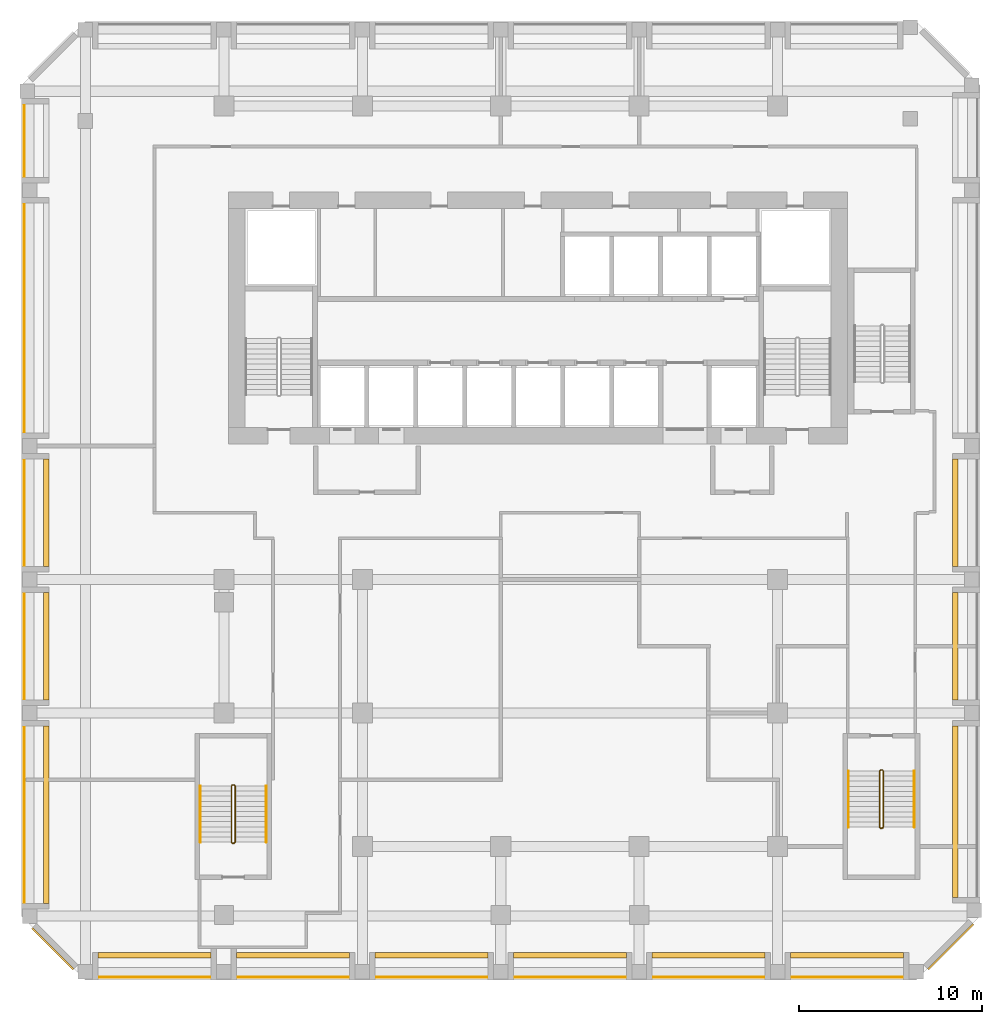
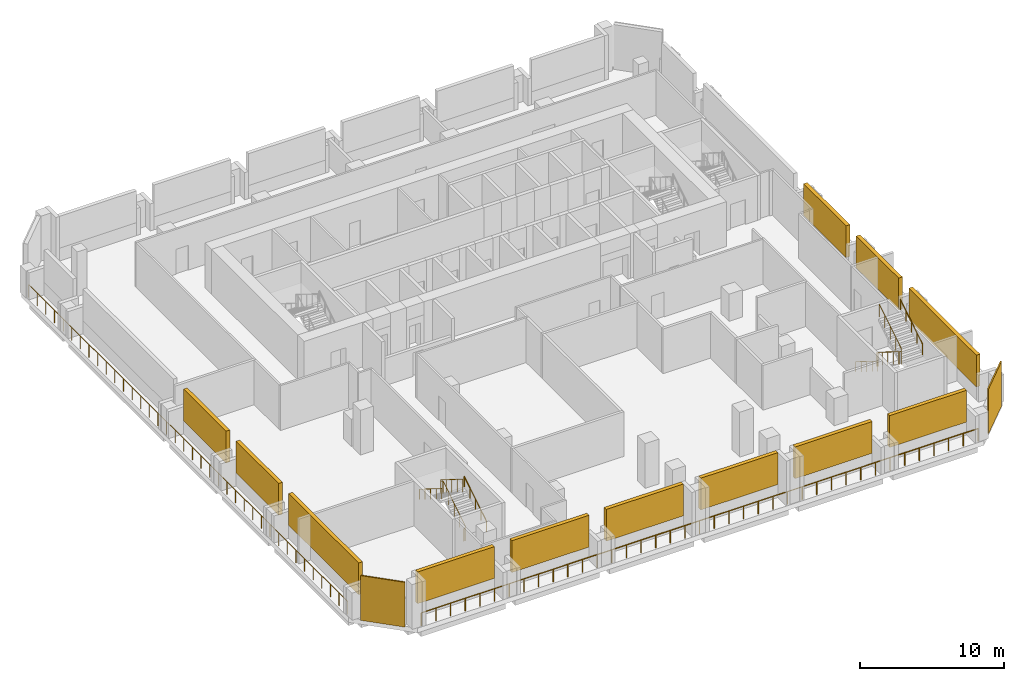
# One storey, part 8 of 10: 14 shading devices, 8 railings.
"""IFC4 building model written with IfcOpenShell, lengths in metres."""

from ifc_helpers import new_model, si_unit, direction, frame, origin, origin_2d, place, context, subcontext, project, spatial, rectangle, circle, extrude, source, transform, mapped, material, layer, layer_set, type_object, element, save


model = new_model("IFC4")

# Units and contexts
model_context = context("Model", 3, precision=1e-05, world=origin(), true_north=direction((0.0, 1.0)))
body_context = subcontext(model_context, "Body", "Model", "MODEL_VIEW")
ifc_project = project(units=[si_unit("LENGTHUNIT", "METRE"), si_unit("AREAUNIT", "SQUARE_METRE"), si_unit("VOLUMEUNIT", "CUBIC_METRE"), si_unit("PLANEANGLEUNIT", "RADIAN"), si_unit("MASSUNIT", "GRAM", prefix="KILO")], contexts=[model_context])

# Site, building, storey
site_placement = place(None, origin())
site = spatial("IfcSite", under=ifc_project, at=site_placement, CompositionType="ELEMENT")
building_placement = place(site_placement, origin())
building = spatial("IfcBuilding", under=site, at=building_placement, Name="Kilnfold Tower and Market Hall", CompositionType="ELEMENT")
storey_placement = place(building_placement, frame((0.0, 0.0, 164.300048828125)))
storey = spatial("IfcBuildingStorey", under=building, at=storey_placement, Name="L38 Plant Transfer Level", CompositionType="ELEMENT", Elevation=164.300048828125)

# Railings
ifc_material_1 = material(Name="Stainless steel 316", Category="steel")
railing_type_1 = type_object("IfcRailingType", Name="CORE STAIR GUARD 1100", PredefinedType="GUARDRAIL", material=ifc_material_1)
railing_1_placement = place(storey_placement, frame((-15.699951171875, -13.75, 0.0)))
element("IfcRailing", 1, at=railing_1_placement, inside=storey, type_object=railing_type_1, Name="L38 Plant Transfer Level ST3 stair guard 1", PredefinedType="GUARDRAIL", context=body_context, shape_type="SweptSolid", body=[
    extrude(circle(Radius=0.02392578125, at=origin_2d()), frame((0.0, 0.0, 1.076171875), z_axis=(1.0, 0.0, 0.0), x_axis=(0.0, 1.0, 0.0)), (0.0, 0.0, 1.0), 0.099853515625),
    extrude(circle(Radius=0.02392578125, at=origin_2d()), frame((0.099853515625, 0.0, 1.076171875), z_axis=(0.265065253269, 0.265065253269, 0.927081885822), x_axis=(-0.707106781187, 0.707106781187, 0.0)), (0.0, 0.0, 1.0), 0.188720703125),
    extrude(circle(Radius=0.02392578125, at=origin_2d()), frame((0.14990234375, 0.050048828125, 1.2509765625), z_axis=(0.0, 0.848009633417, 0.529980812513), x_axis=(-1.0, 0.0, 0.0)), (0.0, 0.0, 1.0), 3.6318359375),
    extrude(circle(Radius=0.02392578125, at=origin_2d()), frame((0.14990234375, 3.1298828125, 3.17578125), z_axis=(-0.707106781187, 0.707106781187, 0.0), x_axis=(-0.707106781187, -0.707106781187, 0.0)), (0.0, 0.0, 1.0), 0.07080078125),
    extrude(circle(Radius=0.02392578125, at=origin_2d()), frame((0.099853515625, 3.179931640625, 3.17578125), z_axis=(-1.0, 0.0, 0.0), x_axis=(0.0, -1.0, 0.0)), (0.0, 0.0, 1.0), 0.099853515625),
    extrude(circle(Radius=0.02392578125, at=origin_2d()), frame((0.0, 3.179931640625, 3.17578125), z_axis=(-0.265065253269, -0.265065253269, 0.927081885822), x_axis=(0.707106781187, -0.707106781187, 0.0)), (0.0, 0.0, 1.0), 0.188720703125),
    extrude(circle(Radius=0.02392578125, at=origin_2d()), frame((-0.050048828125, 3.1298828125, 3.35107421875), z_axis=(0.0, -0.847979421464, 0.530029150871), x_axis=(1.0, 0.0, 0.0)), (0.0, 0.0, 1.0), 3.632080078125),
    extrude(circle(Radius=0.02099609375, at=origin_2d()), origin(), (0.0, 0.0, 1.0), 1.052001953125),
    extrude(circle(Radius=0.02099609375, at=origin_2d()), frame((0.099853515625, 0.0, 0.0)), (0.0, 0.0, 1.0), 1.052001953125),
    extrude(circle(Radius=0.02099609375, at=origin_2d()), frame((0.14990234375, 0.050048828125, 0.175048828125)), (0.0, 0.0, 1.0), 1.052001953125),
    extrude(circle(Radius=0.02099609375, at=origin_2d()), frame((0.14990234375, 0.820068359375, 0.65625)), (0.0, 0.0, 1.0), 1.052001953125),
    extrude(circle(Radius=0.02099609375, at=origin_2d()), frame((0.14990234375, 1.58984375, 1.137451171875)), (0.0, 0.0, 1.0), 1.052001953125),
    extrude(circle(Radius=0.02099609375, at=origin_2d()), frame((0.14990234375, 2.35986328125, 1.61865234375)), (0.0, 0.0, 1.0), 1.052001953125),
    extrude(circle(Radius=0.02099609375, at=origin_2d()), frame((0.14990234375, 3.1298828125, 2.099853515625)), (0.0, 0.0, 1.0), 1.052001953125),
    extrude(circle(Radius=0.02099609375, at=origin_2d()), frame((0.099853515625, 3.179931640625, 2.099853515625)), (0.0, 0.0, 1.0), 1.052001953125),
    extrude(circle(Radius=0.02099609375, at=origin_2d()), frame((0.0, 3.179931640625, 2.099853515625)), (0.0, 0.0, 1.0), 1.052001953125),
    extrude(circle(Radius=0.02099609375, at=origin_2d()), frame((-0.050048828125, 3.1298828125, 2.27490234375)), (0.0, 0.0, 1.0), 1.052001953125),
    extrude(circle(Radius=0.02099609375, at=origin_2d()), frame((-0.050048828125, 2.35986328125, 2.756103515625)), (0.0, 0.0, 1.0), 1.052001953125),
    extrude(circle(Radius=0.02099609375, at=origin_2d()), frame((-0.050048828125, 1.58984375, 3.2373046875)), (0.0, 0.0, 1.0), 1.052001953125),
    extrude(circle(Radius=0.02099609375, at=origin_2d()), frame((-0.050048828125, 0.820068359375, 3.71875)), (0.0, 0.0, 1.0), 1.052001953125),
    extrude(circle(Radius=0.02099609375, at=origin_2d()), frame((-0.050048828125, 0.050048828125, 4.199951171875)), (0.0, 0.0, 1.0), 1.052001953125),
])
railing_2_placement = place(storey_placement, frame((19.89990234375, -9.75, 0.0)))
element("IfcRailing", 2, at=railing_2_placement, inside=storey, type_object=railing_type_1, Name="L38 Plant Transfer Level ST4 stair guard 1", PredefinedType="GUARDRAIL", context=body_context, shape_type="SweptSolid", body=[
    extrude(circle(Radius=0.02392578125, at=origin_2d()), frame((0.0, 0.0, 1.076171875), z_axis=(-1.0, 0.0, 0.0), x_axis=(0.0, -1.0, 0.0)), (0.0, 0.0, 1.0), 0.099853515625),
    extrude(circle(Radius=0.02392578125, at=origin_2d()), frame((-0.099853515625, 0.0, 1.076171875), z_axis=(-0.265065253269, -0.265065253269, 0.927081885822), x_axis=(0.707106781187, -0.707106781187, 0.0)), (0.0, 0.0, 1.0), 0.188720703125),
    extrude(circle(Radius=0.02392578125, at=origin_2d()), frame((-0.14990234375, -0.050048828125, 1.2509765625), z_axis=(0.0, -0.848009633417, 0.529980812513), x_axis=(1.0, 0.0, 0.0)), (0.0, 0.0, 1.0), 3.6318359375),
    extrude(circle(Radius=0.02392578125, at=origin_2d()), frame((-0.14990234375, -3.1298828125, 3.17578125), z_axis=(0.707106781187, -0.707106781187, 0.0), x_axis=(0.707106781187, 0.707106781187, 0.0)), (0.0, 0.0, 1.0), 0.07080078125),
    extrude(circle(Radius=0.02392578125, at=origin_2d()), frame((-0.099853515625, -3.179931640625, 3.17578125), z_axis=(1.0, 0.0, 0.0), x_axis=(0.0, 1.0, 0.0)), (0.0, 0.0, 1.0), 0.099853515625),
    extrude(circle(Radius=0.02392578125, at=origin_2d()), frame((0.0, -3.179931640625, 3.17578125), z_axis=(0.265065253269, 0.265065253269, 0.927081885822), x_axis=(-0.707106781187, 0.707106781187, 0.0)), (0.0, 0.0, 1.0), 0.188720703125),
    extrude(circle(Radius=0.02392578125, at=origin_2d()), frame((0.050048828125, -3.1298828125, 3.35107421875), z_axis=(0.0, 0.847979421464, 0.530029150871), x_axis=(-1.0, 0.0, 0.0)), (0.0, 0.0, 1.0), 3.632080078125),
    extrude(circle(Radius=0.02099609375, at=origin_2d()), origin(), (0.0, 0.0, 1.0), 1.052001953125),
    extrude(circle(Radius=0.02099609375, at=origin_2d()), frame((-0.099853515625, 0.0, 0.0)), (0.0, 0.0, 1.0), 1.052001953125),
    extrude(circle(Radius=0.02099609375, at=origin_2d()), frame((-0.14990234375, -0.050048828125, 0.175048828125)), (0.0, 0.0, 1.0), 1.052001953125),
    extrude(circle(Radius=0.02099609375, at=origin_2d()), frame((-0.14990234375, -0.820068359375, 0.65625)), (0.0, 0.0, 1.0), 1.052001953125),
    extrude(circle(Radius=0.02099609375, at=origin_2d()), frame((-0.14990234375, -1.58984375, 1.137451171875)), (0.0, 0.0, 1.0), 1.052001953125),
    extrude(circle(Radius=0.02099609375, at=origin_2d()), frame((-0.14990234375, -2.35986328125, 1.61865234375)), (0.0, 0.0, 1.0), 1.052001953125),
    extrude(circle(Radius=0.02099609375, at=origin_2d()), frame((-0.14990234375, -3.1298828125, 2.099853515625)), (0.0, 0.0, 1.0), 1.052001953125),
    extrude(circle(Radius=0.02099609375, at=origin_2d()), frame((-0.099853515625, -3.179931640625, 2.099853515625)), (0.0, 0.0, 1.0), 1.052001953125),
    extrude(circle(Radius=0.02099609375, at=origin_2d()), frame((0.0, -3.179931640625, 2.099853515625)), (0.0, 0.0, 1.0), 1.052001953125),
    extrude(circle(Radius=0.02099609375, at=origin_2d()), frame((0.050048828125, -3.1298828125, 2.27490234375)), (0.0, 0.0, 1.0), 1.052001953125),
    extrude(circle(Radius=0.02099609375, at=origin_2d()), frame((0.050048828125, -2.35986328125, 2.756103515625)), (0.0, 0.0, 1.0), 1.052001953125),
    extrude(circle(Radius=0.02099609375, at=origin_2d()), frame((0.050048828125, -1.58984375, 3.2373046875)), (0.0, 0.0, 1.0), 1.052001953125),
    extrude(circle(Radius=0.02099609375, at=origin_2d()), frame((0.050048828125, -0.820068359375, 3.71875)), (0.0, 0.0, 1.0), 1.052001953125),
    extrude(circle(Radius=0.02099609375, at=origin_2d()), frame((0.050048828125, -0.050048828125, 4.199951171875)), (0.0, 0.0, 1.0), 1.052001953125),
])
ifc_material_2 = material(Name="Stainless steel 316", Category="steel")
railing_type_2 = type_object("IfcRailingType", Name="CORE STAIR HANDRAIL 900", PredefinedType="HANDRAIL", material=ifc_material_2)
railing_3_placement = place(storey_placement, frame((-13.85009765625, -13.699951171875, 0.175048828125)))
element("IfcRailing", 3, at=railing_3_placement, inside=storey, type_object=railing_type_2, Name="L38 Plant Transfer Level ST3 stair handrail 1", PredefinedType="HANDRAIL", context=body_context, shape_type="SweptSolid", body=[
    extrude(circle(Radius=0.02392578125, at=origin_2d()), frame((0.0, 0.0, 0.8759765625), z_axis=(0.0, 0.848009633417, 0.529980812513), x_axis=(-1.0, 0.0, 0.0)), (0.0, 0.0, 1.0), 3.6318359375),
    extrude(circle(Radius=0.02099609375, at=origin_2d()), origin(), (0.0, 0.0, 1.0), 0.851806640625),
    extrude(circle(Radius=0.02099609375, at=origin_2d()), frame((0.0, 0.77001953125, 0.481201171875)), (0.0, 0.0, 1.0), 0.851806640625),
    extrude(circle(Radius=0.02099609375, at=origin_2d()), frame((0.0, 1.5400390625, 0.96240234375)), (0.0, 0.0, 1.0), 0.851806640625),
    extrude(circle(Radius=0.02099609375, at=origin_2d()), frame((0.0, 2.309814453125, 1.443603515625)), (0.0, 0.0, 1.0), 0.851806640625),
    extrude(circle(Radius=0.02099609375, at=origin_2d()), frame((0.0, 3.079833984375, 1.9248046875)), (0.0, 0.0, 1.0), 0.851806640625),
])
railing_4_placement = place(storey_placement, frame((-17.449951171875, -10.6201171875, 2.27490234375)))
element("IfcRailing", 4, at=railing_4_placement, inside=storey, type_object=railing_type_2, Name="L38 Plant Transfer Level ST3 stair handrail 2", PredefinedType="HANDRAIL", context=body_context, shape_type="SweptSolid", body=[
    extrude(circle(Radius=0.02392578125, at=origin_2d()), frame((0.0, 0.0, 0.8759765625), z_axis=(0.0, -0.847979421464, 0.530029150871), x_axis=(1.0, 0.0, 0.0)), (0.0, 0.0, 1.0), 3.632080078125),
    extrude(circle(Radius=0.02099609375, at=origin_2d()), origin(), (0.0, 0.0, 1.0), 0.851806640625),
    extrude(circle(Radius=0.02099609375, at=origin_2d()), frame((0.0, -0.77001953125, 0.481201171875)), (0.0, 0.0, 1.0), 0.851806640625),
    extrude(circle(Radius=0.02099609375, at=origin_2d()), frame((0.0, -1.5400390625, 0.96240234375)), (0.0, 0.0, 1.0), 0.851806640625),
    extrude(circle(Radius=0.02099609375, at=origin_2d()), frame((0.0, -2.309814453125, 1.44384765625)), (0.0, 0.0, 1.0), 0.851806640625),
    extrude(circle(Radius=0.02099609375, at=origin_2d()), frame((0.0, -3.079833984375, 1.925048828125)), (0.0, 0.0, 1.0), 0.851806640625),
])
railing_5_placement = place(storey_placement, frame((18.050048828125, -9.800048828125, 0.175048828125)))
element("IfcRailing", 5, at=railing_5_placement, inside=storey, type_object=railing_type_2, Name="L38 Plant Transfer Level ST4 stair handrail 1", PredefinedType="HANDRAIL", context=body_context, shape_type="SweptSolid", body=[
    extrude(circle(Radius=0.02392578125, at=origin_2d()), frame((0.0, 0.0, 0.8759765625), z_axis=(0.0, -0.848009633417, 0.529980812513), x_axis=(1.0, 0.0, 0.0)), (0.0, 0.0, 1.0), 3.6318359375),
    extrude(circle(Radius=0.02099609375, at=origin_2d()), origin(), (0.0, 0.0, 1.0), 0.851806640625),
    extrude(circle(Radius=0.02099609375, at=origin_2d()), frame((0.0, -0.77001953125, 0.481201171875)), (0.0, 0.0, 1.0), 0.851806640625),
    extrude(circle(Radius=0.02099609375, at=origin_2d()), frame((0.0, -1.5400390625, 0.96240234375)), (0.0, 0.0, 1.0), 0.851806640625),
    extrude(circle(Radius=0.02099609375, at=origin_2d()), frame((0.0, -2.309814453125, 1.443603515625)), (0.0, 0.0, 1.0), 0.851806640625),
    extrude(circle(Radius=0.02099609375, at=origin_2d()), frame((0.0, -3.079833984375, 1.9248046875)), (0.0, 0.0, 1.0), 0.851806640625),
])
railing_6_placement = place(storey_placement, frame((21.64990234375, -12.8798828125, 2.27490234375)))
element("IfcRailing", 6, at=railing_6_placement, inside=storey, type_object=railing_type_2, Name="L38 Plant Transfer Level ST4 stair handrail 2", PredefinedType="HANDRAIL", context=body_context, shape_type="SweptSolid", body=[
    extrude(circle(Radius=0.02392578125, at=origin_2d()), frame((0.0, 0.0, 0.8759765625), z_axis=(0.0, 0.847979421464, 0.530029150871), x_axis=(-1.0, 0.0, 0.0)), (0.0, 0.0, 1.0), 3.632080078125),
    extrude(circle(Radius=0.02099609375, at=origin_2d()), origin(), (0.0, 0.0, 1.0), 0.851806640625),
    extrude(circle(Radius=0.02099609375, at=origin_2d()), frame((0.0, 0.77001953125, 0.481201171875)), (0.0, 0.0, 1.0), 0.851806640625),
    extrude(circle(Radius=0.02099609375, at=origin_2d()), frame((0.0, 1.5400390625, 0.96240234375)), (0.0, 0.0, 1.0), 0.851806640625),
    extrude(circle(Radius=0.02099609375, at=origin_2d()), frame((0.0, 2.309814453125, 1.44384765625)), (0.0, 0.0, 1.0), 0.851806640625),
    extrude(circle(Radius=0.02099609375, at=origin_2d()), frame((0.0, 3.079833984375, 1.925048828125)), (0.0, 0.0, 1.0), 0.851806640625),
])
ifc_material_3 = material(Name="Stainless steel and laminated glass", Category="steel")
railing_type_3 = type_object("IfcRailingType", Name="GUARD 1100", PredefinedType="GUARDRAIL", material=ifc_material_3)
railing_7_placement = place(storey_placement, frame((-23.35009765625, -21.10009765625, 0.0)))
element("IfcRailing", 7, at=railing_7_placement, inside=storey, type_object=railing_type_3, Name="Guard plant edge S L38", PredefinedType="GUARDRAIL", context=body_context, shape_type="SweptSolid", body=[
    extrude(circle(Radius=0.02490234375, at=origin_2d()), frame((0.0, 0.0, 1.0751953125), z_axis=(1.0, 0.0, 0.0), x_axis=(0.0, 1.0, 0.0)), (0.0, 0.0, 1.0), 44.7001953125),
    extrude(circle(Radius=0.02490234375, at=origin_2d()), origin(), (0.0, 0.0, 1.0), 1.050048828125),
    extrude(circle(Radius=0.02490234375, at=origin_2d()), frame((1.17626953125, 0.0, 0.0)), (0.0, 0.0, 1.0), 1.050048828125),
    extrude(circle(Radius=0.02490234375, at=origin_2d()), frame((2.3525390625, 0.0, 0.0)), (0.0, 0.0, 1.0), 1.050048828125),
    extrude(circle(Radius=0.02490234375, at=origin_2d()), frame((3.529052734375, 0.0, 0.0)), (0.0, 0.0, 1.0), 1.050048828125),
    extrude(circle(Radius=0.02490234375, at=origin_2d()), frame((4.705322265625, 0.0, 0.0)), (0.0, 0.0, 1.0), 1.050048828125),
    extrude(circle(Radius=0.02490234375, at=origin_2d()), frame((5.881591796875, 0.0, 0.0)), (0.0, 0.0, 1.0), 1.050048828125),
    extrude(circle(Radius=0.02490234375, at=origin_2d()), frame((7.057861328125, 0.0, 0.0)), (0.0, 0.0, 1.0), 1.050048828125),
    extrude(circle(Radius=0.02490234375, at=origin_2d()), frame((8.234130859375, 0.0, 0.0)), (0.0, 0.0, 1.0), 1.050048828125),
    extrude(circle(Radius=0.02490234375, at=origin_2d()), frame((9.41064453125, 0.0, 0.0)), (0.0, 0.0, 1.0), 1.050048828125),
    extrude(circle(Radius=0.02490234375, at=origin_2d()), frame((10.5869140625, 0.0, 0.0)), (0.0, 0.0, 1.0), 1.050048828125),
    extrude(circle(Radius=0.02490234375, at=origin_2d()), frame((11.76318359375, 0.0, 0.0)), (0.0, 0.0, 1.0), 1.050048828125),
    extrude(circle(Radius=0.02490234375, at=origin_2d()), frame((12.939453125, 0.0, 0.0)), (0.0, 0.0, 1.0), 1.050048828125),
    extrude(circle(Radius=0.02490234375, at=origin_2d()), frame((14.115966796875, 0.0, 0.0)), (0.0, 0.0, 1.0), 1.050048828125),
    extrude(circle(Radius=0.02490234375, at=origin_2d()), frame((15.292236328125, 0.0, 0.0)), (0.0, 0.0, 1.0), 1.050048828125),
    extrude(circle(Radius=0.02490234375, at=origin_2d()), frame((16.468505859375, 0.0, 0.0)), (0.0, 0.0, 1.0), 1.050048828125),
    extrude(circle(Radius=0.02490234375, at=origin_2d()), frame((17.644775390625, 0.0, 0.0)), (0.0, 0.0, 1.0), 1.050048828125),
    extrude(circle(Radius=0.02490234375, at=origin_2d()), frame((18.821044921875, 0.0, 0.0)), (0.0, 0.0, 1.0), 1.050048828125),
    extrude(circle(Radius=0.02490234375, at=origin_2d()), frame((19.99755859375, 0.0, 0.0)), (0.0, 0.0, 1.0), 1.050048828125),
    extrude(circle(Radius=0.02490234375, at=origin_2d()), frame((21.173828125, 0.0, 0.0)), (0.0, 0.0, 1.0), 1.050048828125),
    extrude(circle(Radius=0.02490234375, at=origin_2d()), frame((22.35009765625, 0.0, 0.0)), (0.0, 0.0, 1.0), 1.050048828125),
    extrude(circle(Radius=0.02490234375, at=origin_2d()), frame((23.5263671875, 0.0, 0.0)), (0.0, 0.0, 1.0), 1.050048828125),
    extrude(circle(Radius=0.02490234375, at=origin_2d()), frame((24.70263671875, 0.0, 0.0)), (0.0, 0.0, 1.0), 1.050048828125),
    extrude(circle(Radius=0.02490234375, at=origin_2d()), frame((25.879150390625, 0.0, 0.0)), (0.0, 0.0, 1.0), 1.050048828125),
    extrude(circle(Radius=0.02490234375, at=origin_2d()), frame((27.055419921875, 0.0, 0.0)), (0.0, 0.0, 1.0), 1.050048828125),
    extrude(circle(Radius=0.02490234375, at=origin_2d()), frame((28.231689453125, 0.0, 0.0)), (0.0, 0.0, 1.0), 1.050048828125),
    extrude(circle(Radius=0.02490234375, at=origin_2d()), frame((29.407958984375, 0.0, 0.0)), (0.0, 0.0, 1.0), 1.050048828125),
    extrude(circle(Radius=0.02490234375, at=origin_2d()), frame((30.584228515625, 0.0, 0.0)), (0.0, 0.0, 1.0), 1.050048828125),
    extrude(circle(Radius=0.02490234375, at=origin_2d()), frame((31.7607421875, 0.0, 0.0)), (0.0, 0.0, 1.0), 1.050048828125),
    extrude(circle(Radius=0.02490234375, at=origin_2d()), frame((32.93701171875, 0.0, 0.0)), (0.0, 0.0, 1.0), 1.050048828125),
    extrude(circle(Radius=0.02490234375, at=origin_2d()), frame((34.11328125, 0.0, 0.0)), (0.0, 0.0, 1.0), 1.050048828125),
    extrude(circle(Radius=0.02490234375, at=origin_2d()), frame((35.28955078125, 0.0, 0.0)), (0.0, 0.0, 1.0), 1.050048828125),
    extrude(circle(Radius=0.02490234375, at=origin_2d()), frame((36.466064453125, 0.0, 0.0)), (0.0, 0.0, 1.0), 1.050048828125),
    extrude(circle(Radius=0.02490234375, at=origin_2d()), frame((37.642333984375, 0.0, 0.0)), (0.0, 0.0, 1.0), 1.050048828125),
    extrude(circle(Radius=0.02490234375, at=origin_2d()), frame((38.818603515625, 0.0, 0.0)), (0.0, 0.0, 1.0), 1.050048828125),
    extrude(circle(Radius=0.02490234375, at=origin_2d()), frame((39.994873046875, 0.0, 0.0)), (0.0, 0.0, 1.0), 1.050048828125),
    extrude(circle(Radius=0.02490234375, at=origin_2d()), frame((41.171142578125, 0.0, 0.0)), (0.0, 0.0, 1.0), 1.050048828125),
    extrude(circle(Radius=0.02490234375, at=origin_2d()), frame((42.34765625, 0.0, 0.0)), (0.0, 0.0, 1.0), 1.050048828125),
    extrude(circle(Radius=0.02490234375, at=origin_2d()), frame((43.52392578125, 0.0, 0.0)), (0.0, 0.0, 1.0), 1.050048828125),
    extrude(circle(Radius=0.02490234375, at=origin_2d()), frame((44.7001953125, 0.0, 0.0)), (0.0, 0.0, 1.0), 1.050048828125),
])
railing_8_placement = place(storey_placement, frame((-27.10009765625, 27.03173828125, 0.0)))
element("IfcRailing", 8, at=railing_8_placement, inside=storey, type_object=railing_type_3, Name="Guard plant edge W L38", PredefinedType="GUARDRAIL", context=body_context, shape_type="SweptSolid", body=[
    extrude(circle(Radius=0.02490234375, at=origin_2d()), frame((0.0, 0.0, 1.0751953125), z_axis=(0.0, -1.0, 0.0), x_axis=(1.0, 0.0, 0.0)), (0.0, 0.0, 1.0), 44.3818359375),
    extrude(circle(Radius=0.02490234375, at=origin_2d()), origin(), (0.0, 0.0, 1.0), 1.050048828125),
    extrude(circle(Radius=0.02490234375, at=origin_2d()), frame((0.0, -1.199462890625, 0.0)), (0.0, 0.0, 1.0), 1.050048828125),
    extrude(circle(Radius=0.02490234375, at=origin_2d()), frame((0.0, -2.39892578125, 0.0)), (0.0, 0.0, 1.0), 1.050048828125),
    extrude(circle(Radius=0.02490234375, at=origin_2d()), frame((0.0, -3.5986328125, 0.0)), (0.0, 0.0, 1.0), 1.050048828125),
    extrude(circle(Radius=0.02490234375, at=origin_2d()), frame((0.0, -4.798095703125, 0.0)), (0.0, 0.0, 1.0), 1.050048828125),
    extrude(circle(Radius=0.02490234375, at=origin_2d()), frame((0.0, -5.99755859375, 0.0)), (0.0, 0.0, 1.0), 1.050048828125),
    extrude(circle(Radius=0.02490234375, at=origin_2d()), frame((0.0, -7.197021484375, 0.0)), (0.0, 0.0, 1.0), 1.050048828125),
    extrude(circle(Radius=0.02490234375, at=origin_2d()), frame((0.0, -8.396484375, 0.0)), (0.0, 0.0, 1.0), 1.050048828125),
    extrude(circle(Radius=0.02490234375, at=origin_2d()), frame((0.0, -9.59619140625, 0.0)), (0.0, 0.0, 1.0), 1.050048828125),
    extrude(circle(Radius=0.02490234375, at=origin_2d()), frame((0.0, -10.795654296875, 0.0)), (0.0, 0.0, 1.0), 1.050048828125),
    extrude(circle(Radius=0.02490234375, at=origin_2d()), frame((0.0, -11.9951171875, 0.0)), (0.0, 0.0, 1.0), 1.050048828125),
    extrude(circle(Radius=0.02490234375, at=origin_2d()), frame((0.0, -13.194580078125, 0.0)), (0.0, 0.0, 1.0), 1.050048828125),
    extrude(circle(Radius=0.02490234375, at=origin_2d()), frame((0.0, -14.39404296875, 0.0)), (0.0, 0.0, 1.0), 1.050048828125),
    extrude(circle(Radius=0.02490234375, at=origin_2d()), frame((0.0, -15.593505859375, 0.0)), (0.0, 0.0, 1.0), 1.050048828125),
    extrude(circle(Radius=0.02490234375, at=origin_2d()), frame((0.0, -16.793212890625, 0.0)), (0.0, 0.0, 1.0), 1.050048828125),
    extrude(circle(Radius=0.02490234375, at=origin_2d()), frame((0.0, -17.99267578125, 0.0)), (0.0, 0.0, 1.0), 1.050048828125),
    extrude(circle(Radius=0.02490234375, at=origin_2d()), frame((0.0, -19.192138671875, 0.0)), (0.0, 0.0, 1.0), 1.050048828125),
    extrude(circle(Radius=0.02490234375, at=origin_2d()), frame((0.0, -20.3916015625, 0.0)), (0.0, 0.0, 1.0), 1.050048828125),
    extrude(circle(Radius=0.02490234375, at=origin_2d()), frame((0.0, -21.591064453125, 0.0)), (0.0, 0.0, 1.0), 1.050048828125),
    extrude(circle(Radius=0.02490234375, at=origin_2d()), frame((0.0, -22.790771484375, 0.0)), (0.0, 0.0, 1.0), 1.050048828125),
    extrude(circle(Radius=0.02490234375, at=origin_2d()), frame((0.0, -23.990234375, 0.0)), (0.0, 0.0, 1.0), 1.050048828125),
    extrude(circle(Radius=0.02490234375, at=origin_2d()), frame((0.0, -25.189697265625, 0.0)), (0.0, 0.0, 1.0), 1.050048828125),
    extrude(circle(Radius=0.02490234375, at=origin_2d()), frame((0.0, -26.38916015625, 0.0)), (0.0, 0.0, 1.0), 1.050048828125),
    extrude(circle(Radius=0.02490234375, at=origin_2d()), frame((0.0, -27.588623046875, 0.0)), (0.0, 0.0, 1.0), 1.050048828125),
    extrude(circle(Radius=0.02490234375, at=origin_2d()), frame((0.0, -28.788330078125, 0.0)), (0.0, 0.0, 1.0), 1.050048828125),
    extrude(circle(Radius=0.02490234375, at=origin_2d()), frame((0.0, -29.98779296875, 0.0)), (0.0, 0.0, 1.0), 1.050048828125),
    extrude(circle(Radius=0.02490234375, at=origin_2d()), frame((0.0, -31.187255859375, 0.0)), (0.0, 0.0, 1.0), 1.050048828125),
    extrude(circle(Radius=0.02490234375, at=origin_2d()), frame((0.0, -32.38671875, 0.0)), (0.0, 0.0, 1.0), 1.050048828125),
    extrude(circle(Radius=0.02490234375, at=origin_2d()), frame((0.0, -33.586181640625, 0.0)), (0.0, 0.0, 1.0), 1.050048828125),
    extrude(circle(Radius=0.02490234375, at=origin_2d()), frame((0.0, -34.78564453125, 0.0)), (0.0, 0.0, 1.0), 1.050048828125),
    extrude(circle(Radius=0.02490234375, at=origin_2d()), frame((0.0, -35.9853515625, 0.0)), (0.0, 0.0, 1.0), 1.050048828125),
    extrude(circle(Radius=0.02490234375, at=origin_2d()), frame((0.0, -37.184814453125, 0.0)), (0.0, 0.0, 1.0), 1.050048828125),
    extrude(circle(Radius=0.02490234375, at=origin_2d()), frame((0.0, -38.38427734375, 0.0)), (0.0, 0.0, 1.0), 1.050048828125),
    extrude(circle(Radius=0.02490234375, at=origin_2d()), frame((0.0, -39.583740234375, 0.0)), (0.0, 0.0, 1.0), 1.050048828125),
    extrude(circle(Radius=0.02490234375, at=origin_2d()), frame((0.0, -40.783203125, 0.0)), (0.0, 0.0, 1.0), 1.050048828125),
    extrude(circle(Radius=0.02490234375, at=origin_2d()), frame((0.0, -41.98291015625, 0.0)), (0.0, 0.0, 1.0), 1.050048828125),
    extrude(circle(Radius=0.02490234375, at=origin_2d()), frame((0.0, -43.182373046875, 0.0)), (0.0, 0.0, 1.0), 1.050048828125),
    extrude(circle(Radius=0.02490234375, at=origin_2d()), frame((0.0, -44.3818359375, 0.0)), (0.0, 0.0, 1.0), 1.050048828125),
])

# Shading devices
ifc_material_4 = material(Name="Anodised aluminium", Category="aluminium")
shading_device_type_1 = type_object("IfcShadingDeviceType", Name="LOUVRE", PredefinedType="JALOUSIE", material=ifc_material_4)
shared_shape_1 = source(origin(), body_context, "Body", "SweptSolid", [
    extrude(rectangle(XDim=6.183349609375, YDim=0.300048828125, at=origin_2d()), origin(), (0.0, 0.0, 1.0), 2.699951171875),
])
for number, where, z_axis, x_axis, name in (
    (9, (-19.958251953125, -19.89990234375, 1.10009765625), (0.0, 0.0, 1.0), (1.0, 0.0, 0.0), "Plant louvre L38 S"),
    (10, (-12.375, -19.89990234375, 1.10009765625), (0.0, 0.0, 1.0), (1.0, 0.0, 0.0), "Plant louvre L38 S"),
    (11, (-4.79150390625, -19.89990234375, 1.10009765625), (0.0, 0.0, 1.0), (1.0, 0.0, 0.0), "Plant louvre L38 S"),
    (12, (2.79150390625, -19.89990234375, 1.10009765625), (0.0, 0.0, 1.0), (1.0, 0.0, 0.0), "Plant louvre L38 S"),
    (13, (10.375, -19.89990234375, 1.10009765625), (0.0, 0.0, 1.0), (1.0, 0.0, 0.0), "Plant louvre L38 S"),
    (14, (17.958251953125, -19.89990234375, 1.10009765625), (0.0, 0.0, 1.0), (1.0, 0.0, 0.0), "Plant louvre L38 S"),
):
    element("IfcShadingDevice", number, at=place(storey_placement, frame(where, z_axis=z_axis, x_axis=x_axis)), inside=storey, type_object=shading_device_type_1, Name=name, ObjectType="LOUVRE", PredefinedType="JALOUSIE", context=body_context, shape_type="MappedRepresentation", body=[
        mapped(shared_shape_1, transform((0.0, 0.0, 0.0))),
    ])
ifc_material_5 = material(Name="Terracotta", Category="masonry")
ifc_layer = layer(ifc_material_5, 0.10009765625)
ifc_layer_set = layer_set([ifc_layer], Name="Terracotta")
shading_device_type_2 = type_object("IfcShadingDeviceType", Name="TERRACOTTA SCREEN 100", PredefinedType="USERDEFINED", material=ifc_layer_set)
shared_shape_2 = source(origin(), body_context, "Body", "SweptSolid", [
    extrude(rectangle(XDim=3.500244140625, YDim=0.10009765625, at=origin_2d()), origin(), (0.0, 0.0, 1.0), 3.800048828125),
])
shading_device_1_placement = place(storey_placement, frame((23.64794921875, -19.4228515625, 0.0), z_axis=(0.0, 0.0, 1.0), x_axis=(0.707106781187, 0.707106781187, 0.0)))
element("IfcShadingDevice", 15, at=shading_device_1_placement, inside=storey, type_object=shading_device_type_2, Name="Plant screen L38 SE", ObjectType="SCREEN", PredefinedType="USERDEFINED", context=body_context, shape_type="MappedRepresentation", body=[
    mapped(shared_shape_2, transform((0.0, 0.0, 0.0))),
])
shared_shape_3 = source(origin(), body_context, "Body", "SweptSolid", [
    extrude(rectangle(XDim=9.40673828125, YDim=0.300048828125, at=origin_2d()), origin(), (0.0, 0.0, 1.0), 2.699951171875),
])
shading_device_2_placement = place(storey_placement, frame((23.89990234375, -12.0283203125, 1.10009765625), z_axis=(0.0, 0.0, 1.0), x_axis=(0.0, 1.0, 0.0)))
element("IfcShadingDevice", 16, at=shading_device_2_placement, inside=storey, type_object=shading_device_type_1, Name="Plant louvre L38 E", ObjectType="LOUVRE", PredefinedType="JALOUSIE", context=body_context, shape_type="MappedRepresentation", body=[
    mapped(shared_shape_3, transform((0.0, 0.0, 0.0))),
])
shared_shape_4 = source(origin(), body_context, "Body", "SweptSolid", [
    extrude(rectangle(XDim=5.91259765625, YDim=0.300048828125, at=origin_2d()), origin(), (0.0, 0.0, 1.0), 2.699951171875),
])
for number, where, z_axis, x_axis, name in (
    (17, (23.89990234375, -2.96875, 1.10009765625), (0.0, 0.0, 1.0), (0.0, 1.0, 0.0), "Plant louvre L38 E"),
    (18, (23.89990234375, 4.34375, 1.10009765625), (0.0, 0.0, 1.0), (0.0, 1.0, 0.0), "Plant louvre L38 E"),
    (19, (-25.89990234375, 4.34375, 1.10009765625), (0.0, 0.0, 1.0), (0.0, -1.0, 0.0), "Plant louvre L38 W"),
    (20, (-25.89990234375, -2.96875, 1.10009765625), (0.0, 0.0, 1.0), (0.0, -1.0, 0.0), "Plant louvre L38 W"),
):
    element("IfcShadingDevice", number, at=place(storey_placement, frame(where, z_axis=z_axis, x_axis=x_axis)), inside=storey, type_object=shading_device_type_1, Name=name, ObjectType="LOUVRE", PredefinedType="JALOUSIE", context=body_context, shape_type="MappedRepresentation", body=[
        mapped(shared_shape_4, transform((0.0, 0.0, 0.0))),
    ])
shared_shape_5 = source(origin(), body_context, "Body", "SweptSolid", [
    extrude(rectangle(XDim=9.72509765625, YDim=0.300048828125, at=origin_2d()), origin(), (0.0, 0.0, 1.0), 2.699951171875),
])
shading_device_3_placement = place(storey_placement, frame((-25.89990234375, -12.1875, 1.10009765625), z_axis=(0.0, 0.0, 1.0), x_axis=(0.0, -1.0, 0.0)))
element("IfcShadingDevice", 21, at=shading_device_3_placement, inside=storey, type_object=shading_device_type_1, Name="Plant louvre L38 W", ObjectType="LOUVRE", PredefinedType="JALOUSIE", context=body_context, shape_type="MappedRepresentation", body=[
    mapped(shared_shape_5, transform((0.0, 0.0, 0.0))),
])
shared_shape_6 = source(origin(), body_context, "Body", "SweptSolid", [
    extrude(rectangle(XDim=3.181884765625, YDim=0.10009765625, at=origin_2d()), origin(), (0.0, 0.0, 1.0), 3.800048828125),
])
shading_device_4_placement = place(storey_placement, frame((-25.535400390625, -19.535400390625, 0.0), z_axis=(0.0, 0.0, 1.0), x_axis=(0.707106781187, -0.707106781187, 0.0)))
element("IfcShadingDevice", 22, at=shading_device_4_placement, inside=storey, type_object=shading_device_type_2, Name="Plant screen L38 SW", ObjectType="SCREEN", PredefinedType="USERDEFINED", context=body_context, shape_type="MappedRepresentation", body=[
    mapped(shared_shape_6, transform((0.0, 0.0, 0.0))),
])

save(model, "model.ifc")
